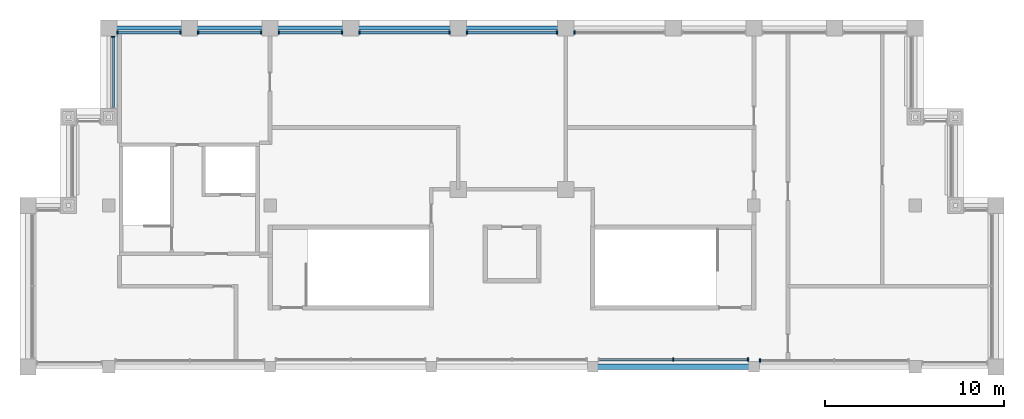
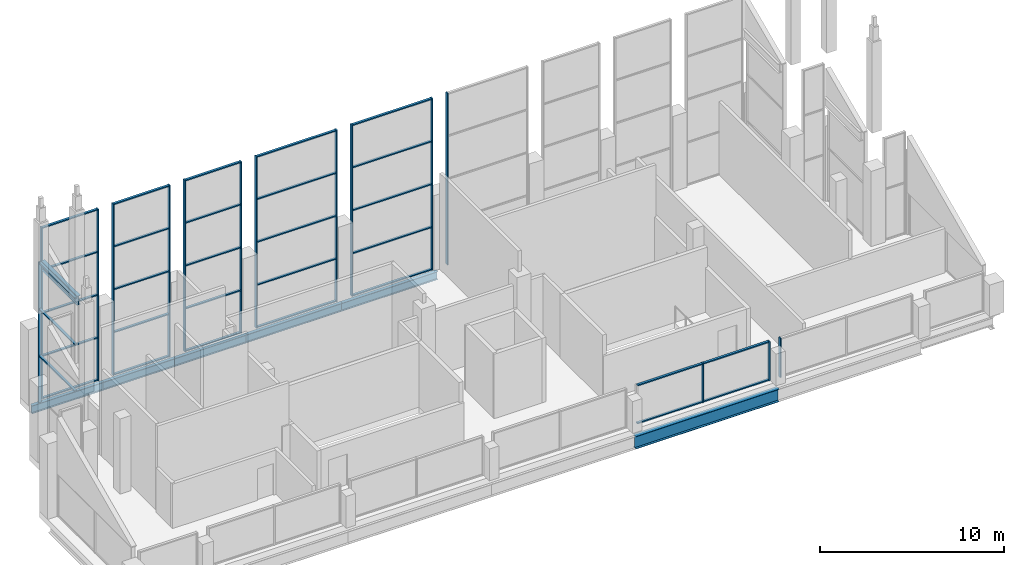
# One storey, part 3 of 9: 47 members, 7 beams, 9 elements without a shape of their own.
"""IFC4 building model written with IfcOpenShell, lengths in metres."""

from ifc_helpers import new_model, si_unit, direction, frame, origin, origin_2d, place, context, subcontext, project, spatial, rectangle, i_section, extrude, material, layer, layer_set, material_profile, profile_set, type_object, element, aggregate, save


model = new_model("IFC4")

# Units and contexts
model_context = context("Model", 3, precision=1e-05, world=origin(), true_north=direction((0.0, 1.0)))
body_context = subcontext(model_context, "Body", "Model", "MODEL_VIEW")
ifc_project = project(units=[si_unit("LENGTHUNIT", "METRE"), si_unit("AREAUNIT", "SQUARE_METRE"), si_unit("VOLUMEUNIT", "CUBIC_METRE"), si_unit("PLANEANGLEUNIT", "RADIAN"), si_unit("MASSUNIT", "GRAM", prefix="KILO")], contexts=[model_context])

# Site, building, storey
site_placement = place(None, origin())
site = spatial("IfcSite", under=ifc_project, at=site_placement, CompositionType="ELEMENT")
building_placement = place(site_placement, origin())
building = spatial("IfcBuilding", under=site, at=building_placement, Name="Corbelhall Arena Tower", CompositionType="ELEMENT")
storey_placement = place(building_placement, frame((0.0, 0.0, 386.0)))
storey = spatial("IfcBuildingStorey", under=building, at=storey_placement, Name="L83", CompositionType="ELEMENT", Elevation=386.0)

# Curtain wall, members
ifc_material_1 = material(Name="Aluminium black anodised", Category="aluminium")
ifc_layer = layer(ifc_material_1, 0.179931640625)
ifc_layer_set = layer_set([ifc_layer], Name="EV-CW3 Crown glazing")
curtain_wall_type = type_object("IfcCurtainWallType", Name="EV-CW3 Crown glazing", PredefinedType="NOTDEFINED", material=ifc_layer_set)
curtain_wall_1_placement = place(storey_placement, origin())
curtain_wall_1 = element("IfcCurtainWall", 1, at=curtain_wall_1_placement, inside=storey, type_object=curtain_wall_type, Name="Curtain wall CW3A", PredefinedType="NOTDEFINED")
ifc_material_profile_1 = material_profile(ifc_material_1, rectangle(XDim=0.199951171875, YDim=0.074951171875, at=origin_2d()))
ifc_profile_set_1 = profile_set([ifc_material_profile_1], Name="Aluminium black anodised")
member_type_1 = type_object("IfcMemberType", Name="EV-CW3-MULLION", PredefinedType="MULLION", material=ifc_profile_set_1)
member_1_placement = place(storey_placement, frame((9.0, 9.39990234375, 0.0), z_axis=(0.0, 0.0, 1.0), x_axis=(0.0, 1.0, 0.0)))
member_1 = element("IfcMember", 2, at=member_1_placement, type_object=member_type_1, Name="CW3A mullion 2", PredefinedType="MULLION", context=body_context, shape_type="SweptSolid", body=[
    extrude(rectangle(XDim=0.199951171875, YDim=0.074951171875, at=origin_2d()), origin(), (0.0, 0.0, 1.0), 2.593505859375),
])
member_2_placement = place(storey_placement, frame((13.16259765625, 9.39990234375, 0.0), z_axis=(0.0, 0.0, 1.0), x_axis=(0.0, 1.0, 0.0)))
member_2 = element("IfcMember", 3, at=member_2_placement, type_object=member_type_1, Name="CW3A mullion 3", PredefinedType="MULLION", context=body_context, shape_type="SweptSolid", body=[
    extrude(rectangle(XDim=0.199951171875, YDim=0.074951171875, at=origin_2d()), origin(), (0.0, 0.0, 1.0), 2.593505859375),
])

# Curtain wall, member
curtain_wall_2_placement = place(storey_placement, origin())
curtain_wall_2 = element("IfcCurtainWall", 4, at=curtain_wall_2_placement, inside=storey, type_object=curtain_wall_type, Name="Curtain wall CW3I", PredefinedType="NOTDEFINED")
member_3_placement = place(storey_placement, frame((13.83740234375, 9.35009765625, 0.0), z_axis=(0.0, 0.0, 1.0), x_axis=(0.0, 1.0, 0.0)))
member_3 = element("IfcMember", 5, at=member_3_placement, type_object=member_type_1, Name="CW3I mullion 1", PredefinedType="MULLION", context=body_context, shape_type="SweptSolid", body=[
    extrude(rectangle(XDim=0.199951171875, YDim=0.074951171875, at=origin_2d()), origin(), (0.0, 0.0, 1.0), 2.593505859375),
])
aggregate(curtain_wall_2, [member_3])

curtain_wall_3_placement = place(storey_placement, origin())
curtain_wall_3 = element("IfcCurtainWall", 6, at=curtain_wall_3_placement, inside=storey, type_object=curtain_wall_type, Name="Curtain wall CW3B", PredefinedType="NOTDEFINED")
member_4_placement = place(storey_placement, frame((3.487548828125, 27.64990234375, 0.0), z_axis=(0.0, 0.0, 1.0), x_axis=(0.0, -1.0, 0.0)))
member_4 = element("IfcMember", 7, at=member_4_placement, type_object=member_type_1, Name="CW3B mullion 2", PredefinedType="MULLION", context=body_context, shape_type="SweptSolid", body=[
    extrude(rectangle(XDim=0.199951171875, YDim=0.074951171875, at=origin_2d()), origin(), (0.0, 0.0, 1.0), 11.39990234375),
])
aggregate(curtain_wall_3, [member_4])

# Curtain wall, members
curtain_wall_4_placement = place(storey_placement, origin())
curtain_wall_4 = element("IfcCurtainWall", 8, at=curtain_wall_4_placement, inside=storey, type_object=curtain_wall_type, Name="Curtain wall CW3B", PredefinedType="NOTDEFINED")
member_5_placement = place(storey_placement, frame((2.512451171875, 27.64990234375, 0.0), z_axis=(0.0, 0.0, 1.0), x_axis=(0.0, -1.0, 0.0)))
member_5 = element("IfcMember", 9, at=member_5_placement, type_object=member_type_1, Name="CW3B mullion 1", PredefinedType="MULLION", context=body_context, shape_type="SweptSolid", body=[
    extrude(rectangle(XDim=0.199951171875, YDim=0.074951171875, at=origin_2d()), origin(), (0.0, 0.0, 1.0), 11.39990234375),
])
member_6_placement = place(storey_placement, frame((-2.512451171875, 27.64990234375, 0.0), z_axis=(0.0, 0.0, 1.0), x_axis=(0.0, -1.0, 0.0)))
member_6 = element("IfcMember", 10, at=member_6_placement, type_object=member_type_1, Name="CW3B mullion 2", PredefinedType="MULLION", context=body_context, shape_type="SweptSolid", body=[
    extrude(rectangle(XDim=0.199951171875, YDim=0.074951171875, at=origin_2d()), origin(), (0.0, 0.0, 1.0), 11.39990234375),
])

curtain_wall_5_placement = place(storey_placement, origin())
curtain_wall_5 = element("IfcCurtainWall", 11, at=curtain_wall_5_placement, inside=storey, type_object=curtain_wall_type, Name="Curtain wall CW3B", PredefinedType="NOTDEFINED")
member_7_placement = place(storey_placement, frame((-3.487548828125, 27.64990234375, 0.0), z_axis=(0.0, 0.0, 1.0), x_axis=(0.0, -1.0, 0.0)))
member_7 = element("IfcMember", 12, at=member_7_placement, type_object=member_type_1, Name="CW3B mullion 1", PredefinedType="MULLION", context=body_context, shape_type="SweptSolid", body=[
    extrude(rectangle(XDim=0.199951171875, YDim=0.074951171875, at=origin_2d()), origin(), (0.0, 0.0, 1.0), 11.39990234375),
])
member_8_placement = place(storey_placement, frame((-8.512451171875, 27.64990234375, 0.0), z_axis=(0.0, 0.0, 1.0), x_axis=(0.0, -1.0, 0.0)))
member_8 = element("IfcMember", 13, at=member_8_placement, type_object=member_type_1, Name="CW3B mullion 2", PredefinedType="MULLION", context=body_context, shape_type="SweptSolid", body=[
    extrude(rectangle(XDim=0.199951171875, YDim=0.074951171875, at=origin_2d()), origin(), (0.0, 0.0, 1.0), 11.39990234375),
])

curtain_wall_6_placement = place(storey_placement, origin())
curtain_wall_6 = element("IfcCurtainWall", 14, at=curtain_wall_6_placement, inside=storey, type_object=curtain_wall_type, Name="Curtain wall CW3", PredefinedType="NOTDEFINED")
member_9_placement = place(storey_placement, frame((-9.487548828125, 27.64990234375, 0.0), z_axis=(0.0, 0.0, 1.0), x_axis=(0.0, -1.0, 0.0)))
member_9 = element("IfcMember", 15, at=member_9_placement, type_object=member_type_1, Name="CW3 mullion 1", PredefinedType="MULLION", context=body_context, shape_type="SweptSolid", body=[
    extrude(rectangle(XDim=0.199951171875, YDim=0.074951171875, at=origin_2d()), origin(), (0.0, 0.0, 1.0), 11.39990234375),
])
member_10_placement = place(storey_placement, frame((-13.012451171875, 27.64990234375, 0.0), z_axis=(0.0, 0.0, 1.0), x_axis=(0.0, -1.0, 0.0)))
member_10 = element("IfcMember", 16, at=member_10_placement, type_object=member_type_1, Name="CW3 mullion 2", PredefinedType="MULLION", context=body_context, shape_type="SweptSolid", body=[
    extrude(rectangle(XDim=0.199951171875, YDim=0.074951171875, at=origin_2d()), origin(), (0.0, 0.0, 1.0), 11.39990234375),
])

curtain_wall_7_placement = place(storey_placement, origin())
curtain_wall_7 = element("IfcCurtainWall", 17, at=curtain_wall_7_placement, inside=storey, type_object=curtain_wall_type, Name="Curtain wall CW3", PredefinedType="NOTDEFINED")
member_11_placement = place(storey_placement, frame((-13.987548828125, 27.64990234375, 0.0), z_axis=(0.0, 0.0, 1.0), x_axis=(0.0, -1.0, 0.0)))
member_11 = element("IfcMember", 18, at=member_11_placement, type_object=member_type_1, Name="CW3 mullion 1", PredefinedType="MULLION", context=body_context, shape_type="SweptSolid", body=[
    extrude(rectangle(XDim=0.199951171875, YDim=0.074951171875, at=origin_2d()), origin(), (0.0, 0.0, 1.0), 11.39990234375),
])
member_12_placement = place(storey_placement, frame((-17.512451171875, 27.64990234375, 0.0), z_axis=(0.0, 0.0, 1.0), x_axis=(0.0, -1.0, 0.0)))
member_12 = element("IfcMember", 19, at=member_12_placement, type_object=member_type_1, Name="CW3 mullion 2", PredefinedType="MULLION", context=body_context, shape_type="SweptSolid", body=[
    extrude(rectangle(XDim=0.199951171875, YDim=0.074951171875, at=origin_2d()), origin(), (0.0, 0.0, 1.0), 11.39990234375),
])

curtain_wall_8_placement = place(storey_placement, origin())
curtain_wall_8 = element("IfcCurtainWall", 20, at=curtain_wall_8_placement, inside=storey, type_object=curtain_wall_type, Name="Curtain wall CW3", PredefinedType="NOTDEFINED")
member_13_placement = place(storey_placement, frame((-18.487548828125, 27.64990234375, 0.0), z_axis=(0.0, 0.0, 1.0), x_axis=(0.0, -1.0, 0.0)))
member_13 = element("IfcMember", 21, at=member_13_placement, type_object=member_type_1, Name="CW3 mullion 1", PredefinedType="MULLION", context=body_context, shape_type="SweptSolid", body=[
    extrude(rectangle(XDim=0.199951171875, YDim=0.074951171875, at=origin_2d()), origin(), (0.0, 0.0, 1.0), 11.39990234375),
])
member_14_placement = place(storey_placement, frame((-22.012451171875, 27.64990234375, 0.0), z_axis=(0.0, 0.0, 1.0), x_axis=(0.0, -1.0, 0.0)))
member_14 = element("IfcMember", 22, at=member_14_placement, type_object=member_type_1, Name="CW3 mullion 2", PredefinedType="MULLION", context=body_context, shape_type="SweptSolid", body=[
    extrude(rectangle(XDim=0.199951171875, YDim=0.074951171875, at=origin_2d()), origin(), (0.0, 0.0, 1.0), 11.39990234375),
])

# Curtain wall, member
curtain_wall_9_placement = place(storey_placement, origin())
curtain_wall_9 = element("IfcCurtainWall", 23, at=curtain_wall_9_placement, inside=storey, type_object=curtain_wall_type, Name="Curtain wall CW3H", PredefinedType="NOTDEFINED")
member_15_placement = place(storey_placement, frame((-22.25, 27.41259765625, 0.0), z_axis=(0.0, 0.0, 1.0), x_axis=(1.0, 0.0, 0.0)))
member_15 = element("IfcMember", 24, at=member_15_placement, type_object=member_type_1, Name="CW3H mullion 1", PredefinedType="MULLION", context=body_context, shape_type="SweptSolid", body=[
    extrude(rectangle(XDim=0.199951171875, YDim=0.074951171875, at=origin_2d()), origin(), (0.0, 0.0, 1.0), 9.326416015625),
])

# Member
ifc_material_profile_2 = material_profile(ifc_material_1, rectangle(XDim=0.14990234375, YDim=0.074951171875, at=origin_2d()))
ifc_profile_set_2 = profile_set([ifc_material_profile_2], Name="Aluminium black anodised")
member_type_2 = type_object("IfcMemberType", Name="EV-CW3-TRANSOM", PredefinedType="USERDEFINED", material=ifc_profile_set_2)
member_16_placement = place(storey_placement, frame((4.875, 9.39990234375, 0.03759765625), z_axis=(1.0, 0.0, 0.0), x_axis=(0.0, 1.0, 0.0)))
member_16 = element("IfcMember", 25, at=member_16_placement, type_object=member_type_2, Name="CW3A transom 1.1", ObjectType="transom", PredefinedType="USERDEFINED", context=body_context, shape_type="SweptSolid", body=[
    extrude(rectangle(XDim=0.14990234375, YDim=0.074951171875, at=origin_2d()), origin(), (0.0, 0.0, 1.0), 4.08740234375),
])

member_17_placement = place(storey_placement, frame((4.875, 9.39990234375, 2.55615234375), z_axis=(1.0, 0.0, 0.0), x_axis=(0.0, 1.0, 0.0)))
member_17 = element("IfcMember", 26, at=member_17_placement, type_object=member_type_2, Name="CW3A transom 1.2", ObjectType="transom", PredefinedType="USERDEFINED", context=body_context, shape_type="SweptSolid", body=[
    extrude(rectangle(XDim=0.14990234375, YDim=0.074951171875, at=origin_2d()), origin(), (0.0, 0.0, 1.0), 4.08740234375),
])

member_18_placement = place(storey_placement, frame((9.03759765625, 9.39990234375, 0.03759765625), z_axis=(1.0, 0.0, 0.0), x_axis=(0.0, 1.0, 0.0)))
member_18 = element("IfcMember", 27, at=member_18_placement, type_object=member_type_2, Name="CW3A transom 2.1", ObjectType="transom", PredefinedType="USERDEFINED", context=body_context, shape_type="SweptSolid", body=[
    extrude(rectangle(XDim=0.14990234375, YDim=0.074951171875, at=origin_2d()), origin(), (0.0, 0.0, 1.0), 4.08740234375),
])

member_19_placement = place(storey_placement, frame((9.03759765625, 9.39990234375, 2.55615234375), z_axis=(1.0, 0.0, 0.0), x_axis=(0.0, 1.0, 0.0)))
member_19 = element("IfcMember", 28, at=member_19_placement, type_object=member_type_2, Name="CW3A transom 2.2", ObjectType="transom", PredefinedType="USERDEFINED", context=body_context, shape_type="SweptSolid", body=[
    extrude(rectangle(XDim=0.14990234375, YDim=0.074951171875, at=origin_2d()), origin(), (0.0, 0.0, 1.0), 4.08740234375),
])

aggregate(curtain_wall_1, [member_1, member_2, member_16, member_17, member_18, member_19])

member_20_placement = place(storey_placement, frame((2.47509765625, 27.64990234375, 0.03759765625), z_axis=(-1.0, 0.0, 0.0), x_axis=(0.0, -1.0, 0.0)))
member_20 = element("IfcMember", 29, at=member_20_placement, type_object=member_type_2, Name="CW3B transom 1.1", ObjectType="transom", PredefinedType="USERDEFINED", context=body_context, shape_type="SweptSolid", body=[
    extrude(rectangle(XDim=0.14990234375, YDim=0.074951171875, at=origin_2d()), origin(), (0.0, 0.0, 1.0), 4.9501953125),
])

member_21_placement = place(storey_placement, frame((2.47509765625, 27.64990234375, 2.85009765625), z_axis=(-1.0, 0.0, 0.0), x_axis=(0.0, -1.0, 0.0)))
member_21 = element("IfcMember", 30, at=member_21_placement, type_object=member_type_2, Name="CW3B transom 1.2", ObjectType="transom", PredefinedType="USERDEFINED", context=body_context, shape_type="SweptSolid", body=[
    extrude(rectangle(XDim=0.14990234375, YDim=0.074951171875, at=origin_2d()), origin(), (0.0, 0.0, 1.0), 4.9501953125),
])

member_22_placement = place(storey_placement, frame((2.47509765625, 27.64990234375, 5.699951171875), z_axis=(-1.0, 0.0, 0.0), x_axis=(0.0, -1.0, 0.0)))
member_22 = element("IfcMember", 31, at=member_22_placement, type_object=member_type_2, Name="CW3B transom 1.3", ObjectType="transom", PredefinedType="USERDEFINED", context=body_context, shape_type="SweptSolid", body=[
    extrude(rectangle(XDim=0.14990234375, YDim=0.074951171875, at=origin_2d()), origin(), (0.0, 0.0, 1.0), 4.9501953125),
])

member_23_placement = place(storey_placement, frame((2.47509765625, 27.64990234375, 8.550048828125), z_axis=(-1.0, 0.0, 0.0), x_axis=(0.0, -1.0, 0.0)))
member_23 = element("IfcMember", 32, at=member_23_placement, type_object=member_type_2, Name="CW3B transom 1.4", ObjectType="transom", PredefinedType="USERDEFINED", context=body_context, shape_type="SweptSolid", body=[
    extrude(rectangle(XDim=0.14990234375, YDim=0.074951171875, at=origin_2d()), origin(), (0.0, 0.0, 1.0), 4.9501953125),
])

member_24_placement = place(storey_placement, frame((2.47509765625, 27.64990234375, 11.362548828125), z_axis=(-1.0, 0.0, 0.0), x_axis=(0.0, -1.0, 0.0)))
member_24 = element("IfcMember", 33, at=member_24_placement, type_object=member_type_2, Name="CW3B transom 1.5", ObjectType="transom", PredefinedType="USERDEFINED", context=body_context, shape_type="SweptSolid", body=[
    extrude(rectangle(XDim=0.14990234375, YDim=0.074951171875, at=origin_2d()), origin(), (0.0, 0.0, 1.0), 4.9501953125),
])

aggregate(curtain_wall_4, [member_5, member_6, member_20, member_21, member_22, member_23, member_24])

member_25_placement = place(storey_placement, frame((-3.52490234375, 27.64990234375, 0.03759765625), z_axis=(-1.0, 0.0, 0.0), x_axis=(0.0, -1.0, 0.0)))
member_25 = element("IfcMember", 34, at=member_25_placement, type_object=member_type_2, Name="CW3B transom 1.1", ObjectType="transom", PredefinedType="USERDEFINED", context=body_context, shape_type="SweptSolid", body=[
    extrude(rectangle(XDim=0.14990234375, YDim=0.074951171875, at=origin_2d()), origin(), (0.0, 0.0, 1.0), 4.9501953125),
])

member_26_placement = place(storey_placement, frame((-3.52490234375, 27.64990234375, 2.85009765625), z_axis=(-1.0, 0.0, 0.0), x_axis=(0.0, -1.0, 0.0)))
member_26 = element("IfcMember", 35, at=member_26_placement, type_object=member_type_2, Name="CW3B transom 1.2", ObjectType="transom", PredefinedType="USERDEFINED", context=body_context, shape_type="SweptSolid", body=[
    extrude(rectangle(XDim=0.14990234375, YDim=0.074951171875, at=origin_2d()), origin(), (0.0, 0.0, 1.0), 4.9501953125),
])

member_27_placement = place(storey_placement, frame((-3.52490234375, 27.64990234375, 5.699951171875), z_axis=(-1.0, 0.0, 0.0), x_axis=(0.0, -1.0, 0.0)))
member_27 = element("IfcMember", 36, at=member_27_placement, type_object=member_type_2, Name="CW3B transom 1.3", ObjectType="transom", PredefinedType="USERDEFINED", context=body_context, shape_type="SweptSolid", body=[
    extrude(rectangle(XDim=0.14990234375, YDim=0.074951171875, at=origin_2d()), origin(), (0.0, 0.0, 1.0), 4.9501953125),
])

member_28_placement = place(storey_placement, frame((-3.52490234375, 27.64990234375, 8.550048828125), z_axis=(-1.0, 0.0, 0.0), x_axis=(0.0, -1.0, 0.0)))
member_28 = element("IfcMember", 37, at=member_28_placement, type_object=member_type_2, Name="CW3B transom 1.4", ObjectType="transom", PredefinedType="USERDEFINED", context=body_context, shape_type="SweptSolid", body=[
    extrude(rectangle(XDim=0.14990234375, YDim=0.074951171875, at=origin_2d()), origin(), (0.0, 0.0, 1.0), 4.9501953125),
])

member_29_placement = place(storey_placement, frame((-3.52490234375, 27.64990234375, 11.362548828125), z_axis=(-1.0, 0.0, 0.0), x_axis=(0.0, -1.0, 0.0)))
member_29 = element("IfcMember", 38, at=member_29_placement, type_object=member_type_2, Name="CW3B transom 1.5", ObjectType="transom", PredefinedType="USERDEFINED", context=body_context, shape_type="SweptSolid", body=[
    extrude(rectangle(XDim=0.14990234375, YDim=0.074951171875, at=origin_2d()), origin(), (0.0, 0.0, 1.0), 4.9501953125),
])

aggregate(curtain_wall_5, [member_7, member_8, member_25, member_26, member_27, member_28, member_29])

member_30_placement = place(storey_placement, frame((-9.52490234375, 27.64990234375, 0.03759765625), z_axis=(-1.0, 0.0, 0.0), x_axis=(0.0, -1.0, 0.0)))
member_30 = element("IfcMember", 39, at=member_30_placement, type_object=member_type_2, Name="CW3 transom 1.1", ObjectType="transom", PredefinedType="USERDEFINED", context=body_context, shape_type="SweptSolid", body=[
    extrude(rectangle(XDim=0.14990234375, YDim=0.074951171875, at=origin_2d()), origin(), (0.0, 0.0, 1.0), 3.4501953125),
])

member_31_placement = place(storey_placement, frame((-9.52490234375, 27.64990234375, 2.85009765625), z_axis=(-1.0, 0.0, 0.0), x_axis=(0.0, -1.0, 0.0)))
member_31 = element("IfcMember", 40, at=member_31_placement, type_object=member_type_2, Name="CW3 transom 1.2", ObjectType="transom", PredefinedType="USERDEFINED", context=body_context, shape_type="SweptSolid", body=[
    extrude(rectangle(XDim=0.14990234375, YDim=0.074951171875, at=origin_2d()), origin(), (0.0, 0.0, 1.0), 3.4501953125),
])

member_32_placement = place(storey_placement, frame((-9.52490234375, 27.64990234375, 5.699951171875), z_axis=(-1.0, 0.0, 0.0), x_axis=(0.0, -1.0, 0.0)))
member_32 = element("IfcMember", 41, at=member_32_placement, type_object=member_type_2, Name="CW3 transom 1.3", ObjectType="transom", PredefinedType="USERDEFINED", context=body_context, shape_type="SweptSolid", body=[
    extrude(rectangle(XDim=0.14990234375, YDim=0.074951171875, at=origin_2d()), origin(), (0.0, 0.0, 1.0), 3.4501953125),
])

member_33_placement = place(storey_placement, frame((-9.52490234375, 27.64990234375, 8.550048828125), z_axis=(-1.0, 0.0, 0.0), x_axis=(0.0, -1.0, 0.0)))
member_33 = element("IfcMember", 42, at=member_33_placement, type_object=member_type_2, Name="CW3 transom 1.4", ObjectType="transom", PredefinedType="USERDEFINED", context=body_context, shape_type="SweptSolid", body=[
    extrude(rectangle(XDim=0.14990234375, YDim=0.074951171875, at=origin_2d()), origin(), (0.0, 0.0, 1.0), 3.4501953125),
])

member_34_placement = place(storey_placement, frame((-9.52490234375, 27.64990234375, 11.362548828125), z_axis=(-1.0, 0.0, 0.0), x_axis=(0.0, -1.0, 0.0)))
member_34 = element("IfcMember", 43, at=member_34_placement, type_object=member_type_2, Name="CW3 transom 1.5", ObjectType="transom", PredefinedType="USERDEFINED", context=body_context, shape_type="SweptSolid", body=[
    extrude(rectangle(XDim=0.14990234375, YDim=0.074951171875, at=origin_2d()), origin(), (0.0, 0.0, 1.0), 3.4501953125),
])

aggregate(curtain_wall_6, [member_9, member_10, member_30, member_31, member_32, member_33, member_34])

member_35_placement = place(storey_placement, frame((-14.02490234375, 27.64990234375, 0.03759765625), z_axis=(-1.0, 0.0, 0.0), x_axis=(0.0, -1.0, 0.0)))
member_35 = element("IfcMember", 44, at=member_35_placement, type_object=member_type_2, Name="CW3 transom 1.1", ObjectType="transom", PredefinedType="USERDEFINED", context=body_context, shape_type="SweptSolid", body=[
    extrude(rectangle(XDim=0.14990234375, YDim=0.074951171875, at=origin_2d()), origin(), (0.0, 0.0, 1.0), 3.4501953125),
])

member_36_placement = place(storey_placement, frame((-14.02490234375, 27.64990234375, 2.85009765625), z_axis=(-1.0, 0.0, 0.0), x_axis=(0.0, -1.0, 0.0)))
member_36 = element("IfcMember", 45, at=member_36_placement, type_object=member_type_2, Name="CW3 transom 1.2", ObjectType="transom", PredefinedType="USERDEFINED", context=body_context, shape_type="SweptSolid", body=[
    extrude(rectangle(XDim=0.14990234375, YDim=0.074951171875, at=origin_2d()), origin(), (0.0, 0.0, 1.0), 3.4501953125),
])

member_37_placement = place(storey_placement, frame((-14.02490234375, 27.64990234375, 5.699951171875), z_axis=(-1.0, 0.0, 0.0), x_axis=(0.0, -1.0, 0.0)))
member_37 = element("IfcMember", 46, at=member_37_placement, type_object=member_type_2, Name="CW3 transom 1.3", ObjectType="transom", PredefinedType="USERDEFINED", context=body_context, shape_type="SweptSolid", body=[
    extrude(rectangle(XDim=0.14990234375, YDim=0.074951171875, at=origin_2d()), origin(), (0.0, 0.0, 1.0), 3.4501953125),
])

member_38_placement = place(storey_placement, frame((-14.02490234375, 27.64990234375, 8.550048828125), z_axis=(-1.0, 0.0, 0.0), x_axis=(0.0, -1.0, 0.0)))
member_38 = element("IfcMember", 47, at=member_38_placement, type_object=member_type_2, Name="CW3 transom 1.4", ObjectType="transom", PredefinedType="USERDEFINED", context=body_context, shape_type="SweptSolid", body=[
    extrude(rectangle(XDim=0.14990234375, YDim=0.074951171875, at=origin_2d()), origin(), (0.0, 0.0, 1.0), 3.4501953125),
])

member_39_placement = place(storey_placement, frame((-14.02490234375, 27.64990234375, 11.362548828125), z_axis=(-1.0, 0.0, 0.0), x_axis=(0.0, -1.0, 0.0)))
member_39 = element("IfcMember", 48, at=member_39_placement, type_object=member_type_2, Name="CW3 transom 1.5", ObjectType="transom", PredefinedType="USERDEFINED", context=body_context, shape_type="SweptSolid", body=[
    extrude(rectangle(XDim=0.14990234375, YDim=0.074951171875, at=origin_2d()), origin(), (0.0, 0.0, 1.0), 3.4501953125),
])

aggregate(curtain_wall_7, [member_11, member_12, member_35, member_36, member_37, member_38, member_39])

member_40_placement = place(storey_placement, frame((-18.52490234375, 27.64990234375, 0.03759765625), z_axis=(-1.0, 0.0, 0.0), x_axis=(0.0, -1.0, 0.0)))
member_40 = element("IfcMember", 49, at=member_40_placement, type_object=member_type_2, Name="CW3 transom 1.1", ObjectType="transom", PredefinedType="USERDEFINED", context=body_context, shape_type="SweptSolid", body=[
    extrude(rectangle(XDim=0.14990234375, YDim=0.074951171875, at=origin_2d()), origin(), (0.0, 0.0, 1.0), 3.4501953125),
])

member_41_placement = place(storey_placement, frame((-18.52490234375, 27.64990234375, 2.85009765625), z_axis=(-1.0, 0.0, 0.0), x_axis=(0.0, -1.0, 0.0)))
member_41 = element("IfcMember", 50, at=member_41_placement, type_object=member_type_2, Name="CW3 transom 1.2", ObjectType="transom", PredefinedType="USERDEFINED", context=body_context, shape_type="SweptSolid", body=[
    extrude(rectangle(XDim=0.14990234375, YDim=0.074951171875, at=origin_2d()), origin(), (0.0, 0.0, 1.0), 3.4501953125),
])

member_42_placement = place(storey_placement, frame((-18.52490234375, 27.64990234375, 5.699951171875), z_axis=(-1.0, 0.0, 0.0), x_axis=(0.0, -1.0, 0.0)))
member_42 = element("IfcMember", 51, at=member_42_placement, type_object=member_type_2, Name="CW3 transom 1.3", ObjectType="transom", PredefinedType="USERDEFINED", context=body_context, shape_type="SweptSolid", body=[
    extrude(rectangle(XDim=0.14990234375, YDim=0.074951171875, at=origin_2d()), origin(), (0.0, 0.0, 1.0), 3.4501953125),
])

member_43_placement = place(storey_placement, frame((-18.52490234375, 27.64990234375, 8.550048828125), z_axis=(-1.0, 0.0, 0.0), x_axis=(0.0, -1.0, 0.0)))
member_43 = element("IfcMember", 52, at=member_43_placement, type_object=member_type_2, Name="CW3 transom 1.4", ObjectType="transom", PredefinedType="USERDEFINED", context=body_context, shape_type="SweptSolid", body=[
    extrude(rectangle(XDim=0.14990234375, YDim=0.074951171875, at=origin_2d()), origin(), (0.0, 0.0, 1.0), 3.4501953125),
])

member_44_placement = place(storey_placement, frame((-18.52490234375, 27.64990234375, 11.362548828125), z_axis=(-1.0, 0.0, 0.0), x_axis=(0.0, -1.0, 0.0)))
member_44 = element("IfcMember", 53, at=member_44_placement, type_object=member_type_2, Name="CW3 transom 1.5", ObjectType="transom", PredefinedType="USERDEFINED", context=body_context, shape_type="SweptSolid", body=[
    extrude(rectangle(XDim=0.14990234375, YDim=0.074951171875, at=origin_2d()), origin(), (0.0, 0.0, 1.0), 3.4501953125),
])

aggregate(curtain_wall_8, [member_13, member_14, member_40, member_41, member_42, member_43, member_44])

member_45_placement = place(storey_placement, frame((-22.25, 27.375, 3.10888671875), z_axis=(0.0, -1.0, 0.0), x_axis=(1.0, 0.0, 0.0)))
member_45 = element("IfcMember", 54, at=member_45_placement, type_object=member_type_2, Name="CW3H transom 1.2", ObjectType="transom", PredefinedType="USERDEFINED", context=body_context, shape_type="SweptSolid", body=[
    extrude(rectangle(XDim=0.14990234375, YDim=0.074951171875, at=origin_2d()), origin(), (0.0, 0.0, 1.0), 3.89990234375),
])

member_46_placement = place(storey_placement, frame((-22.25, 27.375, 6.2177734375), z_axis=(0.0, -1.0, 0.0), x_axis=(1.0, 0.0, 0.0)))
member_46 = element("IfcMember", 55, at=member_46_placement, type_object=member_type_2, Name="CW3H transom 1.3", ObjectType="transom", PredefinedType="USERDEFINED", context=body_context, shape_type="SweptSolid", body=[
    extrude(rectangle(XDim=0.14990234375, YDim=0.074951171875, at=origin_2d()), origin(), (0.0, 0.0, 1.0), 3.89990234375),
])

member_47_placement = place(storey_placement, frame((-22.25, 27.375, 9.2890625), z_axis=(0.0, -1.0, 0.0), x_axis=(1.0, 0.0, 0.0)))
member_47 = element("IfcMember", 56, at=member_47_placement, type_object=member_type_2, Name="CW3H transom 1.4", ObjectType="transom", PredefinedType="USERDEFINED", context=body_context, shape_type="SweptSolid", body=[
    extrude(rectangle(XDim=0.14990234375, YDim=0.074951171875, at=origin_2d()), origin(), (0.0, 0.0, 1.0), 3.89990234375),
])

aggregate(curtain_wall_9, [member_15, member_45, member_46, member_47])

# Beams
ifc_material_2 = material(Name="Steel ASTM A992 Gr50", Category="steel")
ifc_material_profile_3 = material_profile(ifc_material_2, i_section(OverallWidth=0.23046875, OverallDepth=0.6171875, WebThickness=0.01318359375, FlangeThickness=0.022216796875, at=origin_2d()))
ifc_profile_set_3 = profile_set([ifc_material_profile_3], Name="Steel ASTM A992 Gr50")
beam_type_1 = type_object("IfcBeamType", Name="ST-BEAM-W24x94", PredefinedType="BEAM", material=ifc_profile_set_3)
beam_1_placement = place(storey_placement, frame((-22.02490234375, 27.449951171875, 9.017822265625), z_axis=(0.0, -1.0, 0.0), x_axis=(1.0, 0.0, 0.0)))
element("IfcBeam", 57, at=beam_1_placement, inside=storey, type_object=beam_type_1, Name="Roof head beam", PredefinedType="BEAM", context=body_context, shape_type="SweptSolid", body=[
    extrude(i_section(OverallWidth=0.23046875, OverallDepth=0.6171875, WebThickness=0.01318359375, FlangeThickness=0.022216796875, at=origin_2d()), origin(), (0.0, 0.0, 1.0), 3.89990234375),
])
ifc_material_profile_4 = material_profile(ifc_material_2, i_section(OverallWidth=0.2099609375, OverallDepth=0.535888671875, WebThickness=0.010986328125, FlangeThickness=0.017333984375, at=origin_2d()))
ifc_profile_set_4 = profile_set([ifc_material_profile_4], Name="Steel ASTM A992 Gr50")
beam_type_2 = type_object("IfcBeamType", Name="ST-SPANDREL-W21x68", PredefinedType="SPANDREL", material=ifc_profile_set_4)
for number, where, z_axis, x_axis, name in (
    (58, (-3.0, 27.89990234375, -0.66845703125), (1.0, 0.0, 0.0), (0.0, 1.0, 0.0), "Beam SP 14"),
    (59, (-9.0, 27.89990234375, -0.66845703125), (1.0, 0.0, 0.0), (0.0, 1.0, 0.0), "Beam SP 15"),
):
    element("IfcBeam", number, at=place(storey_placement, frame(where, z_axis=z_axis, x_axis=x_axis)), inside=storey, type_object=beam_type_2, Name=name, PredefinedType="SPANDREL", context=body_context, shape_type="SweptSolid", body=[
        extrude(i_section(OverallWidth=0.2099609375, OverallDepth=0.535888671875, WebThickness=0.010986328125, FlangeThickness=0.017333984375, at=origin_2d()), origin(), (0.0, 0.0, 1.0), 6.0),
    ])
for number, where, z_axis, x_axis, name in (
    (60, (-13.5, 27.89990234375, -0.66845703125), (1.0, 0.0, 0.0), (0.0, 1.0, 0.0), "Beam SP 16"),
    (61, (-18.0, 27.89990234375, -0.66845703125), (1.0, 0.0, 0.0), (0.0, 1.0, 0.0), "Beam SP 17"),
    (62, (-22.5, 27.89990234375, -0.66845703125), (1.0, 0.0, 0.0), (0.0, 1.0, 0.0), "Beam SP 18"),
):
    element("IfcBeam", number, at=place(storey_placement, frame(where, z_axis=z_axis, x_axis=x_axis)), inside=storey, type_object=beam_type_2, Name=name, PredefinedType="SPANDREL", context=body_context, shape_type="SweptSolid", body=[
        extrude(i_section(OverallWidth=0.2099609375, OverallDepth=0.535888671875, WebThickness=0.010986328125, FlangeThickness=0.017333984375, at=origin_2d()), origin(), (0.0, 0.0, 1.0), 4.5),
    ])
ifc_material_profile_5 = material_profile(ifc_material_2, i_section(OverallWidth=0.2919921875, OverallDepth=0.845703125, WebThickness=0.015380859375, FlangeThickness=0.0244140625, at=origin_2d()))
ifc_profile_set_5 = profile_set([ifc_material_profile_5], Name="Steel ASTM A992 Gr50")
beam_type_3 = type_object("IfcBeamType", Name="ST-SPANDREL-W33x141", PredefinedType="SPANDREL", material=ifc_profile_set_5)
beam_2_placement = place(storey_placement, frame((13.5, 9.0, -0.8232421875), z_axis=(-1.0, 0.0, 0.0), x_axis=(0.0, -1.0, 0.0)))
element("IfcBeam", 63, at=beam_2_placement, inside=storey, type_object=beam_type_3, Name="Beam SP 4", PredefinedType="SPANDREL", context=body_context, shape_type="SweptSolid", body=[
    extrude(i_section(OverallWidth=0.2919921875, OverallDepth=0.845703125, WebThickness=0.015380859375, FlangeThickness=0.0244140625, at=origin_2d()), origin(), (0.0, 0.0, 1.0), 9.0),
])

save(model, "model.ifc")
